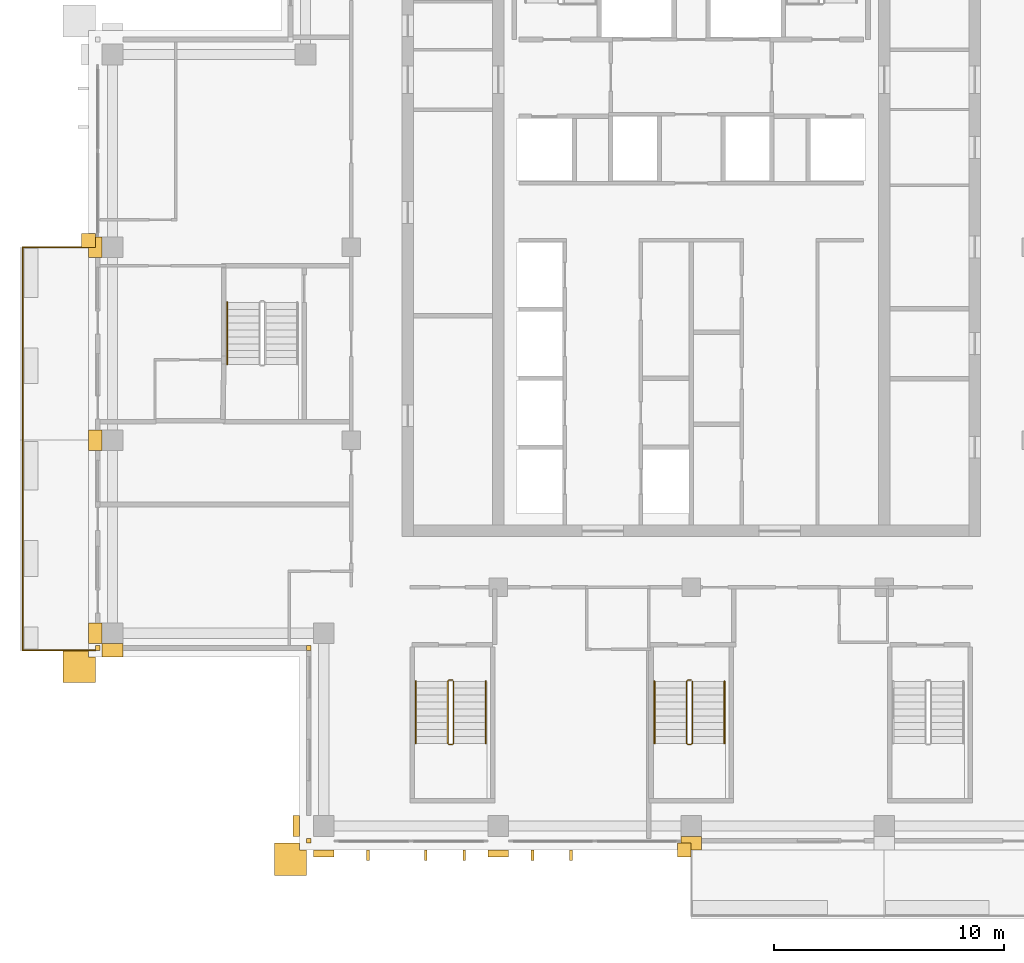
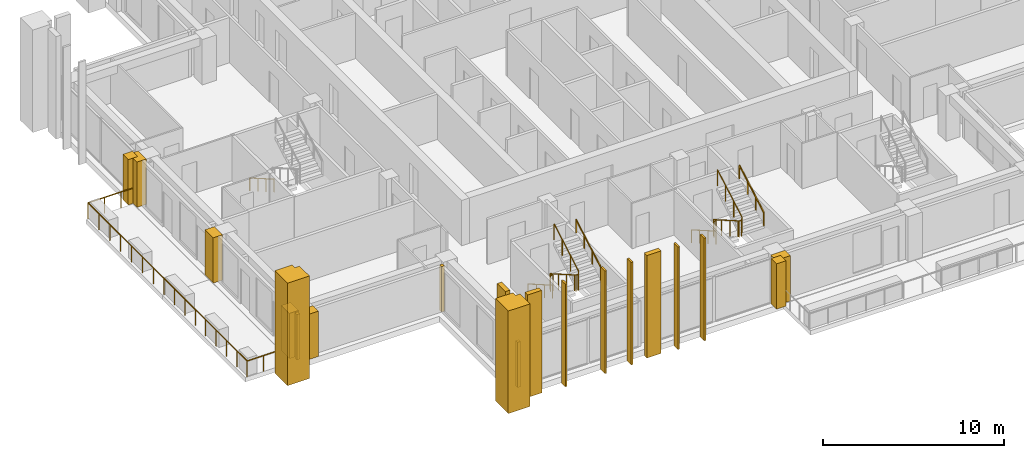
# One storey, part 15 of 18: 20 coverings, 9 railings.
"""IFC4 building model written with IfcOpenShell, lengths in metres."""

from ifc_helpers import new_model, si_unit, direction, frame, origin, origin_2d, place, context, subcontext, project, spatial, polyline, rectangle, outline, extrude, material, layer, layer_set, type_object, element, save


model = new_model("IFC4")

# Units and contexts
model_context = context("Model", 3, precision=1e-05, world=origin(), true_north=direction((0.0, 1.0)))
body_context = subcontext(model_context, "Body", "Model", "MODEL_VIEW")
ifc_project = project(units=[si_unit("LENGTHUNIT", "METRE"), si_unit("AREAUNIT", "SQUARE_METRE"), si_unit("VOLUMEUNIT", "CUBIC_METRE"), si_unit("PLANEANGLEUNIT", "RADIAN"), si_unit("MASSUNIT", "GRAM", prefix="KILO")], contexts=[model_context])

# Site, building, storey
site_placement = place(None, origin())
site = spatial("IfcSite", under=ifc_project, at=site_placement, CompositionType="ELEMENT")
building_placement = place(site_placement, origin())
building = spatial("IfcBuilding", under=site, at=building_placement, Name="Vermilion Ogive Tower", CompositionType="ELEMENT")
storey_placement = place(building_placement, frame((0.0, 0.0, 240.699951171875)))
storey = spatial("IfcBuildingStorey", under=building, at=storey_placement, Name="L63", CompositionType="ELEMENT", Elevation=240.699951171875)

# Railings
ifc_material_1 = material(Name="Stainless steel and glass", Category="steel")
railing_type_1 = type_object("IfcRailingType", Name="Balcony guard", PredefinedType="GUARDRAIL", material=ifc_material_1)
railing_1_placement = place(storey_placement, frame((-25.949951171875, 4.199951171875, -0.0400390625)))
element("IfcRailing", 1, at=railing_1_placement, inside=storey, type_object=railing_type_1, Name="Guard W02", PredefinedType="GUARDRAIL", context=body_context, shape_type="SweptSolid", body=[
    extrude(rectangle(XDim=0.048095703125, YDim=0.048095703125, at=origin_2d()), frame((0.0, 0.0, 1.076171875), z_axis=(-1.0, 0.0, 0.0), x_axis=(0.0, -1.0, 0.0)), (0.0, 0.0, 1.0), 3.16015625),
    extrude(rectangle(XDim=0.048095703125, YDim=0.048095703125, at=origin_2d()), frame((-3.16015625, 0.0, 1.076171875), z_axis=(0.0, -1.0, 0.0), x_axis=(1.0, 0.0, 0.0)), (0.0, 0.0, 1.0), 8.39990234375),
    extrude(rectangle(XDim=0.0419921875, YDim=0.0419921875, at=origin_2d()), origin(), (0.0, 0.0, 1.0), 1.052001953125),
    extrude(rectangle(XDim=0.0419921875, YDim=0.0419921875, at=origin_2d()), frame((-1.053466796875, 0.0, 0.0)), (0.0, 0.0, 1.0), 1.052001953125),
    extrude(rectangle(XDim=0.0419921875, YDim=0.0419921875, at=origin_2d()), frame((-2.106689453125, 0.0, 0.0)), (0.0, 0.0, 1.0), 1.052001953125),
    extrude(rectangle(XDim=0.0419921875, YDim=0.0419921875, at=origin_2d()), frame((-3.16015625, 0.0, 0.0)), (0.0, 0.0, 1.0), 1.052001953125),
    extrude(rectangle(XDim=0.0419921875, YDim=0.0419921875, at=origin_2d()), frame((-3.16015625, -1.199951171875, 0.0)), (0.0, 0.0, 1.0), 1.052001953125),
    extrude(rectangle(XDim=0.0419921875, YDim=0.0419921875, at=origin_2d()), frame((-3.16015625, -2.39990234375, 0.0)), (0.0, 0.0, 1.0), 1.052001953125),
    extrude(rectangle(XDim=0.0419921875, YDim=0.0419921875, at=origin_2d()), frame((-3.16015625, -3.599853515625, 0.0)), (0.0, 0.0, 1.0), 1.052001953125),
    extrude(rectangle(XDim=0.0419921875, YDim=0.0419921875, at=origin_2d()), frame((-3.16015625, -4.800048828125, 0.0)), (0.0, 0.0, 1.0), 1.052001953125),
    extrude(rectangle(XDim=0.0419921875, YDim=0.0419921875, at=origin_2d()), frame((-3.16015625, -6.0, 0.0)), (0.0, 0.0, 1.0), 1.052001953125),
    extrude(rectangle(XDim=0.0419921875, YDim=0.0419921875, at=origin_2d()), frame((-3.16015625, -7.199951171875, 0.0)), (0.0, 0.0, 1.0), 1.052001953125),
    extrude(rectangle(XDim=0.0419921875, YDim=0.0419921875, at=origin_2d()), frame((-3.16015625, -8.39990234375, 0.0)), (0.0, 0.0, 1.0), 1.052001953125),
])
railing_2_placement = place(storey_placement, frame((-29.110107421875, -4.199951171875, -0.0400390625)))
element("IfcRailing", 2, at=railing_2_placement, inside=storey, type_object=railing_type_1, Name="Guard W03", PredefinedType="GUARDRAIL", context=body_context, shape_type="SweptSolid", body=[
    extrude(rectangle(XDim=0.048095703125, YDim=0.048095703125, at=origin_2d()), frame((0.0, 0.0, 1.076171875), z_axis=(0.0, -1.0, 0.0), x_axis=(1.0, 0.0, 0.0)), (0.0, 0.0, 1.0), 9.150146484375),
    extrude(rectangle(XDim=0.048095703125, YDim=0.048095703125, at=origin_2d()), frame((0.0, -9.150146484375, 1.076171875), z_axis=(1.0, 0.0, 0.0), x_axis=(0.0, 1.0, 0.0)), (0.0, 0.0, 1.0), 3.16015625),
    extrude(rectangle(XDim=0.0419921875, YDim=0.0419921875, at=origin_2d()), origin(), (0.0, 0.0, 1.0), 1.052001953125),
    extrude(rectangle(XDim=0.0419921875, YDim=0.0419921875, at=origin_2d()), frame((0.0, -1.143798828125, 0.0)), (0.0, 0.0, 1.0), 1.052001953125),
    extrude(rectangle(XDim=0.0419921875, YDim=0.0419921875, at=origin_2d()), frame((0.0, -2.28759765625, 0.0)), (0.0, 0.0, 1.0), 1.052001953125),
    extrude(rectangle(XDim=0.0419921875, YDim=0.0419921875, at=origin_2d()), frame((0.0, -3.431396484375, 0.0)), (0.0, 0.0, 1.0), 1.052001953125),
    extrude(rectangle(XDim=0.0419921875, YDim=0.0419921875, at=origin_2d()), frame((0.0, -4.5751953125, 0.0)), (0.0, 0.0, 1.0), 1.052001953125),
    extrude(rectangle(XDim=0.0419921875, YDim=0.0419921875, at=origin_2d()), frame((0.0, -5.71875, 0.0)), (0.0, 0.0, 1.0), 1.052001953125),
    extrude(rectangle(XDim=0.0419921875, YDim=0.0419921875, at=origin_2d()), frame((0.0, -6.862548828125, 0.0)), (0.0, 0.0, 1.0), 1.052001953125),
    extrude(rectangle(XDim=0.0419921875, YDim=0.0419921875, at=origin_2d()), frame((0.0, -8.00634765625, 0.0)), (0.0, 0.0, 1.0), 1.052001953125),
    extrude(rectangle(XDim=0.0419921875, YDim=0.0419921875, at=origin_2d()), frame((0.0, -9.150146484375, 0.0)), (0.0, 0.0, 1.0), 1.052001953125),
    extrude(rectangle(XDim=0.0419921875, YDim=0.0419921875, at=origin_2d()), frame((1.053466796875, -9.150146484375, 0.0)), (0.0, 0.0, 1.0), 1.052001953125),
    extrude(rectangle(XDim=0.0419921875, YDim=0.0419921875, at=origin_2d()), frame((2.106689453125, -9.150146484375, 0.0)), (0.0, 0.0, 1.0), 1.052001953125),
    extrude(rectangle(XDim=0.0419921875, YDim=0.0419921875, at=origin_2d()), frame((3.16015625, -9.150146484375, 0.0)), (0.0, 0.0, 1.0), 1.052001953125),
])

# Coverings
ifc_material_2 = material(Name="Glazed ceramic screen")
ifc_layer = layer(ifc_material_2, 0.14990234375)
ifc_layer_set = layer_set([ifc_layer], Name="Ceramic solar screen fin")
covering_type_1 = type_object("IfcCoveringType", Name="Ceramic solar screen fin", PredefinedType="CLADDING", material=ifc_layer_set)
covering_1_placement = place(storey_placement, frame((0.0, 0.0, -0.39990234375)))
element("IfcCovering", 3, at=covering_1_placement, inside=storey, type_object=covering_type_1, Name="Solar screen blade S961", PredefinedType="CLADDING", context=body_context, shape_type="SweptSolid", body=[
    extrude(outline(polyline([(-14.135009765625, -22.5), (-14.014892578125, -22.5), (-14.014892578125, -22.050048828125), (-14.135009765625, -22.050048828125), (-14.135009765625, -22.5)])), origin(), (0.0, 0.0, 1.0), 6.89990234375),
])
covering_2_placement = place(storey_placement, frame((0.0, 0.0, -0.39990234375)))
element("IfcCovering", 4, at=covering_2_placement, inside=storey, type_object=covering_type_1, Name="Solar screen blade S971", PredefinedType="CLADDING", context=body_context, shape_type="SweptSolid", body=[
    extrude(outline(polyline([(-11.62255859375, -22.5), (-11.50244140625, -22.5), (-11.50244140625, -22.050048828125), (-11.62255859375, -22.050048828125), (-11.62255859375, -22.5)])), origin(), (0.0, 0.0, 1.0), 6.89990234375),
])
covering_3_placement = place(storey_placement, frame((0.0, 0.0, -0.39990234375)))
element("IfcCovering", 5, at=covering_3_placement, inside=storey, type_object=covering_type_1, Name="Solar screen blade S972", PredefinedType="CLADDING", context=body_context, shape_type="SweptSolid", body=[
    extrude(outline(polyline([(-9.947509765625, -22.5), (-9.827392578125, -22.5), (-9.827392578125, -22.050048828125), (-9.947509765625, -22.050048828125), (-9.947509765625, -22.5)])), origin(), (0.0, 0.0, 1.0), 6.89990234375),
])
covering_4_placement = place(storey_placement, frame((0.0, 0.0, -0.39990234375)))
element("IfcCovering", 6, at=covering_4_placement, inside=storey, type_object=covering_type_1, Name="Solar screen blade S981", PredefinedType="CLADDING", context=body_context, shape_type="SweptSolid", body=[
    extrude(outline(polyline([(-6.972412109375, -22.5), (-6.8525390625, -22.5), (-6.8525390625, -22.050048828125), (-6.972412109375, -22.050048828125), (-6.972412109375, -22.5)])), origin(), (0.0, 0.0, 1.0), 6.89990234375),
])
covering_5_placement = place(storey_placement, frame((0.0, 0.0, -0.39990234375)))
element("IfcCovering", 7, at=covering_5_placement, inside=storey, type_object=covering_type_1, Name="Solar screen blade S982", PredefinedType="CLADDING", context=body_context, shape_type="SweptSolid", body=[
    extrude(outline(polyline([(-5.297607421875, -22.5), (-5.177490234375, -22.5), (-5.177490234375, -22.050048828125), (-5.297607421875, -22.050048828125), (-5.297607421875, -22.5)])), origin(), (0.0, 0.0, 1.0), 6.89990234375),
])

# Railings
ifc_material_3 = material(Name="Steel S355 painted", Category="steel")
railing_type_2 = type_object("IfcRailingType", Name="Stair guard 1100", PredefinedType="GUARDRAIL", material=ifc_material_3)
railing_3_placement = place(storey_placement, frame((-10.39990234375, -14.64990234375, 0.0)))
element("IfcRailing", 8, at=railing_3_placement, inside=storey, type_object=railing_type_2, Name="L63 ST3 stair guard 4", PredefinedType="GUARDRAIL", context=body_context, shape_type="SweptSolid", body=[
    extrude(rectangle(XDim=0.048095703125, YDim=0.048095703125, at=origin_2d()), frame((0.0, 0.0, 1.076171875), z_axis=(-1.0, 0.0, 0.0), x_axis=(0.0, -1.0, 0.0)), (0.0, 0.0, 1.0), 0.150146484375),
    extrude(rectangle(XDim=0.048095703125, YDim=0.048095703125, at=origin_2d()), frame((-0.150146484375, 0.0, 1.076171875), z_axis=(-0.268277960024, -0.268277960024, 0.925231793839), x_axis=(0.707106781187, -0.707106781187, 0.0)), (0.0, 0.0, 1.0), 0.1865234375),
    extrude(rectangle(XDim=0.048095703125, YDim=0.048095703125, at=origin_2d()), frame((-0.2001953125, -0.050048828125, 1.24853515625), z_axis=(0.0, -0.866903762492, 0.498475542607), x_axis=(1.0, 0.0, 0.0)), (0.0, 0.0, 1.0), 3.114501953125),
    extrude(rectangle(XDim=0.048095703125, YDim=0.048095703125, at=origin_2d()), frame((-0.2001953125, -2.75, 2.80126953125), z_axis=(0.707106781187, -0.707106781187, 0.0), x_axis=(0.707106781187, 0.707106781187, 0.0)), (0.0, 0.0, 1.0), 0.07080078125),
    extrude(rectangle(XDim=0.048095703125, YDim=0.048095703125, at=origin_2d()), frame((-0.150146484375, -2.800048828125, 2.80126953125), z_axis=(1.0, 0.0, 0.0), x_axis=(0.0, 1.0, 0.0)), (0.0, 0.0, 1.0), 0.150146484375),
    extrude(rectangle(XDim=0.048095703125, YDim=0.048095703125, at=origin_2d()), frame((0.0, -2.800048828125, 2.80126953125), z_axis=(0.267386790225, 0.268697509785, 0.925368009307), x_axis=(-0.708833529934, 0.705375805398, 0.0)), (0.0, 0.0, 1.0), 0.186279296875),
    extrude(rectangle(XDim=0.048095703125, YDim=0.048095703125, at=origin_2d()), frame((0.0498046875, -2.75, 2.9736328125), z_axis=(0.0, 0.866903762492, 0.498475542607), x_axis=(-1.0, 0.0, 0.0)), (0.0, 0.0, 1.0), 3.114501953125),
    extrude(rectangle(XDim=0.0419921875, YDim=0.0419921875, at=origin_2d()), origin(), (0.0, 0.0, 1.0), 1.052001953125),
    extrude(rectangle(XDim=0.0419921875, YDim=0.0419921875, at=origin_2d()), frame((-0.150146484375, 0.0, 0.0)), (0.0, 0.0, 1.0), 1.052001953125),
    extrude(rectangle(XDim=0.0419921875, YDim=0.0419921875, at=origin_2d()), frame((-0.2001953125, -0.050048828125, 0.172607421875)), (0.0, 0.0, 1.0), 1.052001953125),
    extrude(rectangle(XDim=0.0419921875, YDim=0.0419921875, at=origin_2d()), frame((-0.2001953125, -0.949951171875, 0.690185546875)), (0.0, 0.0, 1.0), 1.052001953125),
    extrude(rectangle(XDim=0.0419921875, YDim=0.0419921875, at=origin_2d()), frame((-0.2001953125, -1.85009765625, 1.20751953125)), (0.0, 0.0, 1.0), 1.052001953125),
    extrude(rectangle(XDim=0.0419921875, YDim=0.0419921875, at=origin_2d()), frame((-0.2001953125, -2.75, 1.72509765625)), (0.0, 0.0, 1.0), 1.052001953125),
    extrude(rectangle(XDim=0.0419921875, YDim=0.0419921875, at=origin_2d()), frame((-0.150146484375, -2.800048828125, 1.72509765625)), (0.0, 0.0, 1.0), 1.052001953125),
    extrude(rectangle(XDim=0.0419921875, YDim=0.0419921875, at=origin_2d()), frame((0.0, -2.800048828125, 1.72509765625)), (0.0, 0.0, 1.0), 1.052001953125),
    extrude(rectangle(XDim=0.0419921875, YDim=0.0419921875, at=origin_2d()), frame((0.0498046875, -2.75, 1.8974609375)), (0.0, 0.0, 1.0), 1.052001953125),
    extrude(rectangle(XDim=0.0419921875, YDim=0.0419921875, at=origin_2d()), frame((0.0498046875, -1.85009765625, 2.4150390625)), (0.0, 0.0, 1.0), 1.052001953125),
    extrude(rectangle(XDim=0.0419921875, YDim=0.0419921875, at=origin_2d()), frame((0.0498046875, -0.949951171875, 2.932373046875)), (0.0, 0.0, 1.0), 1.052001953125),
    extrude(rectangle(XDim=0.0419921875, YDim=0.0419921875, at=origin_2d()), frame((0.0498046875, -0.050048828125, 3.449951171875)), (0.0, 0.0, 1.0), 1.052001953125),
])
railing_4_placement = place(storey_placement, frame((0.0, -14.64990234375, 0.0)))
element("IfcRailing", 9, at=railing_4_placement, inside=storey, type_object=railing_type_2, Name="L63 ST4 stair guard 4", PredefinedType="GUARDRAIL", context=body_context, shape_type="SweptSolid", body=[
    extrude(rectangle(XDim=0.048095703125, YDim=0.048095703125, at=origin_2d()), frame((0.0, 0.0, 1.076171875), z_axis=(-1.0, 0.0, 0.0), x_axis=(0.0, -1.0, 0.0)), (0.0, 0.0, 1.0), 0.14990234375),
    extrude(rectangle(XDim=0.048095703125, YDim=0.048095703125, at=origin_2d()), frame((-0.14990234375, 0.0, 1.076171875), z_axis=(-0.268277960024, -0.268277960024, 0.925231793839), x_axis=(0.707106781187, -0.707106781187, 0.0)), (0.0, 0.0, 1.0), 0.1865234375),
    extrude(rectangle(XDim=0.048095703125, YDim=0.048095703125, at=origin_2d()), frame((-0.199951171875, -0.050048828125, 1.24853515625), z_axis=(0.0, -0.866903762492, 0.498475542607), x_axis=(1.0, 0.0, 0.0)), (0.0, 0.0, 1.0), 3.114501953125),
    extrude(rectangle(XDim=0.048095703125, YDim=0.048095703125, at=origin_2d()), frame((-0.199951171875, -2.75, 2.80126953125), z_axis=(0.707106781187, -0.707106781187, 0.0), x_axis=(0.707106781187, 0.707106781187, 0.0)), (0.0, 0.0, 1.0), 0.07080078125),
    extrude(rectangle(XDim=0.048095703125, YDim=0.048095703125, at=origin_2d()), frame((-0.14990234375, -2.800048828125, 2.80126953125), z_axis=(1.0, 0.0, 0.0), x_axis=(0.0, 1.0, 0.0)), (0.0, 0.0, 1.0), 0.14990234375),
    extrude(rectangle(XDim=0.048095703125, YDim=0.048095703125, at=origin_2d()), frame((0.0, -2.800048828125, 2.80126953125), z_axis=(0.268603158521, 0.268603158521, 0.925043072762), x_axis=(-0.707106781187, 0.707106781187, 0.0)), (0.0, 0.0, 1.0), 0.186279296875),
    extrude(rectangle(XDim=0.048095703125, YDim=0.048095703125, at=origin_2d()), frame((0.050048828125, -2.75, 2.9736328125), z_axis=(0.0, 0.866903762492, 0.498475542607), x_axis=(-1.0, 0.0, 0.0)), (0.0, 0.0, 1.0), 3.114501953125),
    extrude(rectangle(XDim=0.0419921875, YDim=0.0419921875, at=origin_2d()), origin(), (0.0, 0.0, 1.0), 1.052001953125),
    extrude(rectangle(XDim=0.0419921875, YDim=0.0419921875, at=origin_2d()), frame((-0.14990234375, 0.0, 0.0)), (0.0, 0.0, 1.0), 1.052001953125),
    extrude(rectangle(XDim=0.0419921875, YDim=0.0419921875, at=origin_2d()), frame((-0.199951171875, -0.050048828125, 0.172607421875)), (0.0, 0.0, 1.0), 1.052001953125),
    extrude(rectangle(XDim=0.0419921875, YDim=0.0419921875, at=origin_2d()), frame((-0.199951171875, -0.949951171875, 0.690185546875)), (0.0, 0.0, 1.0), 1.052001953125),
    extrude(rectangle(XDim=0.0419921875, YDim=0.0419921875, at=origin_2d()), frame((-0.199951171875, -1.85009765625, 1.20751953125)), (0.0, 0.0, 1.0), 1.052001953125),
    extrude(rectangle(XDim=0.0419921875, YDim=0.0419921875, at=origin_2d()), frame((-0.199951171875, -2.75, 1.72509765625)), (0.0, 0.0, 1.0), 1.052001953125),
    extrude(rectangle(XDim=0.0419921875, YDim=0.0419921875, at=origin_2d()), frame((-0.14990234375, -2.800048828125, 1.72509765625)), (0.0, 0.0, 1.0), 1.052001953125),
    extrude(rectangle(XDim=0.0419921875, YDim=0.0419921875, at=origin_2d()), frame((0.0, -2.800048828125, 1.72509765625)), (0.0, 0.0, 1.0), 1.052001953125),
    extrude(rectangle(XDim=0.0419921875, YDim=0.0419921875, at=origin_2d()), frame((0.050048828125, -2.75, 1.8974609375)), (0.0, 0.0, 1.0), 1.052001953125),
    extrude(rectangle(XDim=0.0419921875, YDim=0.0419921875, at=origin_2d()), frame((0.050048828125, -1.85009765625, 2.4150390625)), (0.0, 0.0, 1.0), 1.052001953125),
    extrude(rectangle(XDim=0.0419921875, YDim=0.0419921875, at=origin_2d()), frame((0.050048828125, -0.949951171875, 2.932373046875)), (0.0, 0.0, 1.0), 1.052001953125),
    extrude(rectangle(XDim=0.0419921875, YDim=0.0419921875, at=origin_2d()), frame((0.050048828125, -0.050048828125, 3.449951171875)), (0.0, 0.0, 1.0), 1.052001953125),
])
ifc_material_4 = material(Name="Stainless steel", Category="steel")
railing_type_3 = type_object("IfcRailingType", Name="Stair handrail 900", PredefinedType="HANDRAIL", material=ifc_material_4)
railing_5_placement = place(storey_placement, frame((-12.0, -14.699951171875, 0.172607421875)))
element("IfcRailing", 10, at=railing_5_placement, inside=storey, type_object=railing_type_3, Name="L63 ST3 stair handrail 1", PredefinedType="HANDRAIL", context=body_context, shape_type="SweptSolid", body=[
    extrude(rectangle(XDim=0.048095703125, YDim=0.048095703125, at=origin_2d()), frame((0.0, 0.0, 0.8759765625), z_axis=(0.0, -0.866903762492, 0.498475542607), x_axis=(1.0, 0.0, 0.0)), (0.0, 0.0, 1.0), 3.114501953125),
    extrude(rectangle(XDim=0.0419921875, YDim=0.0419921875, at=origin_2d()), origin(), (0.0, 0.0, 1.0), 0.851806640625),
    extrude(rectangle(XDim=0.0419921875, YDim=0.0419921875, at=origin_2d()), frame((0.0, -0.89990234375, 0.517578125)), (0.0, 0.0, 1.0), 0.851806640625),
    extrude(rectangle(XDim=0.0419921875, YDim=0.0419921875, at=origin_2d()), frame((0.0, -1.800048828125, 1.034912109375)), (0.0, 0.0, 1.0), 0.851806640625),
    extrude(rectangle(XDim=0.0419921875, YDim=0.0419921875, at=origin_2d()), frame((0.0, -2.699951171875, 1.552490234375)), (0.0, 0.0, 1.0), 0.851806640625),
])
railing_6_placement = place(storey_placement, frame((-8.949951171875, -17.39990234375, 1.8974609375)))
element("IfcRailing", 11, at=railing_6_placement, inside=storey, type_object=railing_type_3, Name="L63 ST3 stair handrail 2", PredefinedType="HANDRAIL", context=body_context, shape_type="SweptSolid", body=[
    extrude(rectangle(XDim=0.048095703125, YDim=0.048095703125, at=origin_2d()), frame((0.0, 0.0, 0.8759765625), z_axis=(0.0, 0.866903762492, 0.498475542607), x_axis=(-1.0, 0.0, 0.0)), (0.0, 0.0, 1.0), 3.114501953125),
    extrude(rectangle(XDim=0.0419921875, YDim=0.0419921875, at=origin_2d()), origin(), (0.0, 0.0, 1.0), 0.851806640625),
    extrude(rectangle(XDim=0.0419921875, YDim=0.0419921875, at=origin_2d()), frame((0.0, 0.89990234375, 0.517578125)), (0.0, 0.0, 1.0), 0.851806640625),
    extrude(rectangle(XDim=0.0419921875, YDim=0.0419921875, at=origin_2d()), frame((0.0, 1.800048828125, 1.034912109375)), (0.0, 0.0, 1.0), 0.851806640625),
    extrude(rectangle(XDim=0.0419921875, YDim=0.0419921875, at=origin_2d()), frame((0.0, 2.699951171875, 1.552490234375)), (0.0, 0.0, 1.0), 0.851806640625),
])
railing_7_placement = place(storey_placement, frame((-1.60009765625, -14.699951171875, 0.172607421875)))
element("IfcRailing", 12, at=railing_7_placement, inside=storey, type_object=railing_type_3, Name="L63 ST4 stair handrail 1", PredefinedType="HANDRAIL", context=body_context, shape_type="SweptSolid", body=[
    extrude(rectangle(XDim=0.048095703125, YDim=0.048095703125, at=origin_2d()), frame((0.0, 0.0, 0.8759765625), z_axis=(0.0, -0.866903762492, 0.498475542607), x_axis=(1.0, 0.0, 0.0)), (0.0, 0.0, 1.0), 3.114501953125),
    extrude(rectangle(XDim=0.0419921875, YDim=0.0419921875, at=origin_2d()), origin(), (0.0, 0.0, 1.0), 0.851806640625),
    extrude(rectangle(XDim=0.0419921875, YDim=0.0419921875, at=origin_2d()), frame((0.0, -0.89990234375, 0.517578125)), (0.0, 0.0, 1.0), 0.851806640625),
    extrude(rectangle(XDim=0.0419921875, YDim=0.0419921875, at=origin_2d()), frame((0.0, -1.800048828125, 1.034912109375)), (0.0, 0.0, 1.0), 0.851806640625),
    extrude(rectangle(XDim=0.0419921875, YDim=0.0419921875, at=origin_2d()), frame((0.0, -2.699951171875, 1.552490234375)), (0.0, 0.0, 1.0), 0.851806640625),
])
railing_8_placement = place(storey_placement, frame((1.449951171875, -17.39990234375, 1.8974609375)))
element("IfcRailing", 13, at=railing_8_placement, inside=storey, type_object=railing_type_3, Name="L63 ST4 stair handrail 2", PredefinedType="HANDRAIL", context=body_context, shape_type="SweptSolid", body=[
    extrude(rectangle(XDim=0.048095703125, YDim=0.048095703125, at=origin_2d()), frame((0.0, 0.0, 0.8759765625), z_axis=(0.0, 0.866903762492, 0.498475542607), x_axis=(-1.0, 0.0, 0.0)), (0.0, 0.0, 1.0), 3.114501953125),
    extrude(rectangle(XDim=0.0419921875, YDim=0.0419921875, at=origin_2d()), origin(), (0.0, 0.0, 1.0), 0.851806640625),
    extrude(rectangle(XDim=0.0419921875, YDim=0.0419921875, at=origin_2d()), frame((0.0, 0.89990234375, 0.517578125)), (0.0, 0.0, 1.0), 0.851806640625),
    extrude(rectangle(XDim=0.0419921875, YDim=0.0419921875, at=origin_2d()), frame((0.0, 1.800048828125, 1.034912109375)), (0.0, 0.0, 1.0), 0.851806640625),
    extrude(rectangle(XDim=0.0419921875, YDim=0.0419921875, at=origin_2d()), frame((0.0, 2.699951171875, 1.552490234375)), (0.0, 0.0, 1.0), 0.851806640625),
])
railing_9_placement = place(storey_placement, frame((-20.199951171875, 1.800048828125, 0.172607421875)))
element("IfcRailing", 14, at=railing_9_placement, inside=storey, type_object=railing_type_3, Name="L63 ST9 stair handrail 1", PredefinedType="HANDRAIL", context=body_context, shape_type="SweptSolid", body=[
    extrude(rectangle(XDim=0.048095703125, YDim=0.048095703125, at=origin_2d()), frame((0.0, 0.0, 0.8759765625), z_axis=(0.0, -0.866903762492, 0.498475542607), x_axis=(1.0, 0.0, 0.0)), (0.0, 0.0, 1.0), 3.114501953125),
    extrude(rectangle(XDim=0.0419921875, YDim=0.0419921875, at=origin_2d()), origin(), (0.0, 0.0, 1.0), 0.851806640625),
    extrude(rectangle(XDim=0.0419921875, YDim=0.0419921875, at=origin_2d()), frame((0.0, -0.89990234375, 0.517578125)), (0.0, 0.0, 1.0), 0.851806640625),
    extrude(rectangle(XDim=0.0419921875, YDim=0.0419921875, at=origin_2d()), frame((0.0, -1.800048828125, 1.034912109375)), (0.0, 0.0, 1.0), 0.851806640625),
    extrude(rectangle(XDim=0.0419921875, YDim=0.0419921875, at=origin_2d()), frame((0.0, -2.699951171875, 1.552490234375)), (0.0, 0.0, 1.0), 0.851806640625),
])

# Coverings
ifc_material_5 = material(Name="Stone cladding", Category="masonry")
covering_type_2 = type_object("IfcCoveringType", Name="Stone corner buttress", PredefinedType="CLADDING", material=ifc_material_5)
covering_6_placement = place(storey_placement, origin())
element("IfcCovering", 15, at=covering_6_placement, inside=storey, type_object=covering_type_2, Name="Stone crease pier SK", PredefinedType="CLADDING", context=body_context, shape_type="SweptSolid", body=[
    extrude(outline(polyline([(-0.60009765625, -22.35009765625), (0.0, -22.35009765625), (0.0, -21.75), (-0.60009765625, -21.75), (-0.60009765625, -22.35009765625)])), origin(), (0.0, 0.0, 1.0), 3.050048828125),
])
covering_7_placement = place(storey_placement, origin())
element("IfcCovering", 16, at=covering_7_placement, inside=storey, type_object=covering_type_2, Name="Stone crease pier WK", PredefinedType="CLADDING", context=body_context, shape_type="SweptSolid", body=[
    extrude(outline(polyline([(-26.550048828125, 4.800048828125), (-26.550048828125, 4.199951171875), (-25.949951171875, 4.199951171875), (-25.949951171875, 4.800048828125), (-26.550048828125, 4.800048828125)])), origin(), (0.0, 0.0, 1.0), 3.050048828125),
])
covering_8_placement = place(storey_placement, frame((0.0, 0.0, -0.39990234375)))
element("IfcCovering", 17, at=covering_8_placement, inside=storey, type_object=covering_type_2, Name="Stone corner buttress S1", PredefinedType="CLADDING", context=body_context, shape_type="SweptSolid", body=[
    extrude(outline(polyline([(-17.050048828125, -21.75), (-17.050048828125, -22.050048828125), (-16.75, -22.050048828125), (-16.75, -23.14990234375), (-18.14990234375, -23.14990234375), (-18.14990234375, -21.75), (-17.050048828125, -21.75)])), origin(), (0.0, 0.0, 1.0), 6.89990234375),
])
covering_9_placement = place(storey_placement, frame((0.0, 0.0, -0.39990234375)))
element("IfcCovering", 18, at=covering_9_placement, inside=storey, type_object=covering_type_2, Name="Stone corner buttress X71", PredefinedType="CLADDING", context=body_context, shape_type="SweptSolid", body=[
    extrude(outline(polyline([(-27.35009765625, -13.35009765625), (-26.25, -13.35009765625), (-26.25, -13.64990234375), (-25.949951171875, -13.64990234375), (-25.949951171875, -14.75), (-27.35009765625, -14.75), (-27.35009765625, -13.35009765625)])), origin(), (0.0, 0.0, 1.0), 6.89990234375),
])
ifc_material_6 = material(Name="Stone cladding", Category="masonry")
covering_type_3 = type_object("IfcCoveringType", Name="Stone pier", PredefinedType="CLADDING", material=ifc_material_6)
covering_10_placement = place(storey_placement, origin())
element("IfcCovering", 19, at=covering_10_placement, inside=storey, type_object=covering_type_3, Name="Stone corner pier WE1", PredefinedType="CLADDING", context=body_context, shape_type="SweptSolid", body=[
    extrude(outline(polyline([(-25.75, -13.14990234375), (-25.75, -13.35009765625), (-25.949951171875, -13.35009765625), (-25.949951171875, -13.14990234375), (-25.75, -13.14990234375)])), origin(), (0.0, 0.0, 1.0), 3.050048828125),
])
covering_11_placement = place(storey_placement, origin())
element("IfcCovering", 20, at=covering_11_placement, inside=storey, type_object=covering_type_3, Name="Stone corner pier X7E1", PredefinedType="CLADDING", context=body_context, shape_type="SweptSolid", body=[
    extrude(outline(polyline([(-16.550048828125, -13.14990234375), (-16.550048828125, -13.35009765625), (-16.75, -13.35009765625), (-16.75, -13.14990234375), (-16.550048828125, -13.14990234375)])), origin(), (0.0, 0.0, 1.0), 3.050048828125),
])
covering_12_placement = place(storey_placement, origin())
element("IfcCovering", 21, at=covering_12_placement, inside=storey, type_object=covering_type_3, Name="Stone corner pier X8E1", PredefinedType="CLADDING", context=body_context, shape_type="SweptSolid", body=[
    extrude(outline(polyline([(-16.550048828125, -21.550048828125), (-16.550048828125, -21.75), (-16.75, -21.75), (-16.75, -21.550048828125), (-16.550048828125, -21.550048828125)])), origin(), (0.0, 0.0, 1.0), 3.050048828125),
])
covering_13_placement = place(storey_placement, frame((0.0, 0.0, -0.39990234375)))
element("IfcCovering", 22, at=covering_13_placement, inside=storey, type_object=covering_type_3, Name="Stone pier P-0084-210", PredefinedType="CLADDING", context=body_context, shape_type="SweptSolid", body=[
    extrude(outline(polyline([(-7.949951171875, -22.35009765625), (-8.85009765625, -22.35009765625), (-8.85009765625, -22.050048828125), (-7.949951171875, -22.050048828125), (-7.949951171875, -22.35009765625)])), origin(), (0.0, 0.0, 1.0), 6.89990234375),
])
covering_14_placement = place(storey_placement, frame((0.0, 0.0, -0.39990234375)))
element("IfcCovering", 23, at=covering_14_placement, inside=storey, type_object=covering_type_3, Name="Stone pier P-0160-210S", PredefinedType="CLADDING", context=body_context, shape_type="SweptSolid", body=[
    extrude(outline(polyline([(-15.550048828125, -22.35009765625), (-16.449951171875, -22.35009765625), (-16.449951171875, -22.050048828125), (-15.550048828125, -22.050048828125), (-15.550048828125, -22.35009765625)])), origin(), (0.0, 0.0, 1.0), 6.89990234375),
])
covering_15_placement = place(storey_placement, frame((0.0, 0.0, -0.39990234375)))
element("IfcCovering", 24, at=covering_15_placement, inside=storey, type_object=covering_type_3, Name="Stone pier P-0160-210X8", PredefinedType="CLADDING", context=body_context, shape_type="SweptSolid", body=[
    extrude(outline(polyline([(-17.35009765625, -20.550048828125), (-17.050048828125, -20.550048828125), (-17.050048828125, -21.449951171875), (-17.35009765625, -21.449951171875), (-17.35009765625, -20.550048828125)])), origin(), (0.0, 0.0, 1.0), 6.89990234375),
])
covering_16_placement = place(storey_placement, origin())
element("IfcCovering", 25, at=covering_16_placement, inside=storey, type_object=covering_type_3, Name="Stone pier P+0000-210", PredefinedType="CLADDING", context=body_context, shape_type="SweptSolid", body=[
    extrude(outline(polyline([(0.449951171875, -22.050048828125), (0.0, -22.050048828125), (0.0, -21.75), (-0.449951171875, -21.75), (-0.449951171875, -21.449951171875), (0.449951171875, -21.449951171875), (0.449951171875, -22.050048828125)])), origin(), (0.0, 0.0, 1.0), 3.050048828125),
])
covering_17_placement = place(storey_placement, origin())
element("IfcCovering", 26, at=covering_17_placement, inside=storey, type_object=covering_type_3, Name="Stone pier P-0252+042", PredefinedType="CLADDING", context=body_context, shape_type="SweptSolid", body=[
    extrude(outline(polyline([(-26.25, 3.75), (-26.25, 4.199951171875), (-25.949951171875, 4.199951171875), (-25.949951171875, 4.64990234375), (-25.64990234375, 4.64990234375), (-25.64990234375, 3.75), (-26.25, 3.75)])), origin(), (0.0, 0.0, 1.0), 3.050048828125),
])
covering_18_placement = place(storey_placement, origin())
element("IfcCovering", 27, at=covering_18_placement, inside=storey, type_object=covering_type_3, Name="Stone pier P-0252-042", PredefinedType="CLADDING", context=body_context, shape_type="SweptSolid", body=[
    extrude(outline(polyline([(-26.25, -4.64990234375), (-26.25, -3.75), (-25.64990234375, -3.75), (-25.64990234375, -4.64990234375), (-26.25, -4.64990234375)])), origin(), (0.0, 0.0, 1.0), 3.050048828125),
])
covering_19_placement = place(storey_placement, origin())
element("IfcCovering", 28, at=covering_19_placement, inside=storey, type_object=covering_type_3, Name="Stone pier P-0252-126W", PredefinedType="CLADDING", context=body_context, shape_type="SweptSolid", body=[
    extrude(outline(polyline([(-26.25, -13.050048828125), (-26.25, -12.14990234375), (-25.64990234375, -12.14990234375), (-25.64990234375, -13.050048828125), (-26.25, -13.050048828125)])), origin(), (0.0, 0.0, 1.0), 3.050048828125),
])
covering_20_placement = place(storey_placement, origin())
element("IfcCovering", 29, at=covering_20_placement, inside=storey, type_object=covering_type_3, Name="Stone pier P-0252-126X7", PredefinedType="CLADDING", context=body_context, shape_type="SweptSolid", body=[
    extrude(outline(polyline([(-25.64990234375, -13.64990234375), (-25.64990234375, -13.050048828125), (-24.75, -13.050048828125), (-24.75, -13.64990234375), (-25.64990234375, -13.64990234375)])), origin(), (0.0, 0.0, 1.0), 3.050048828125),
])

save(model, "model.ifc")
